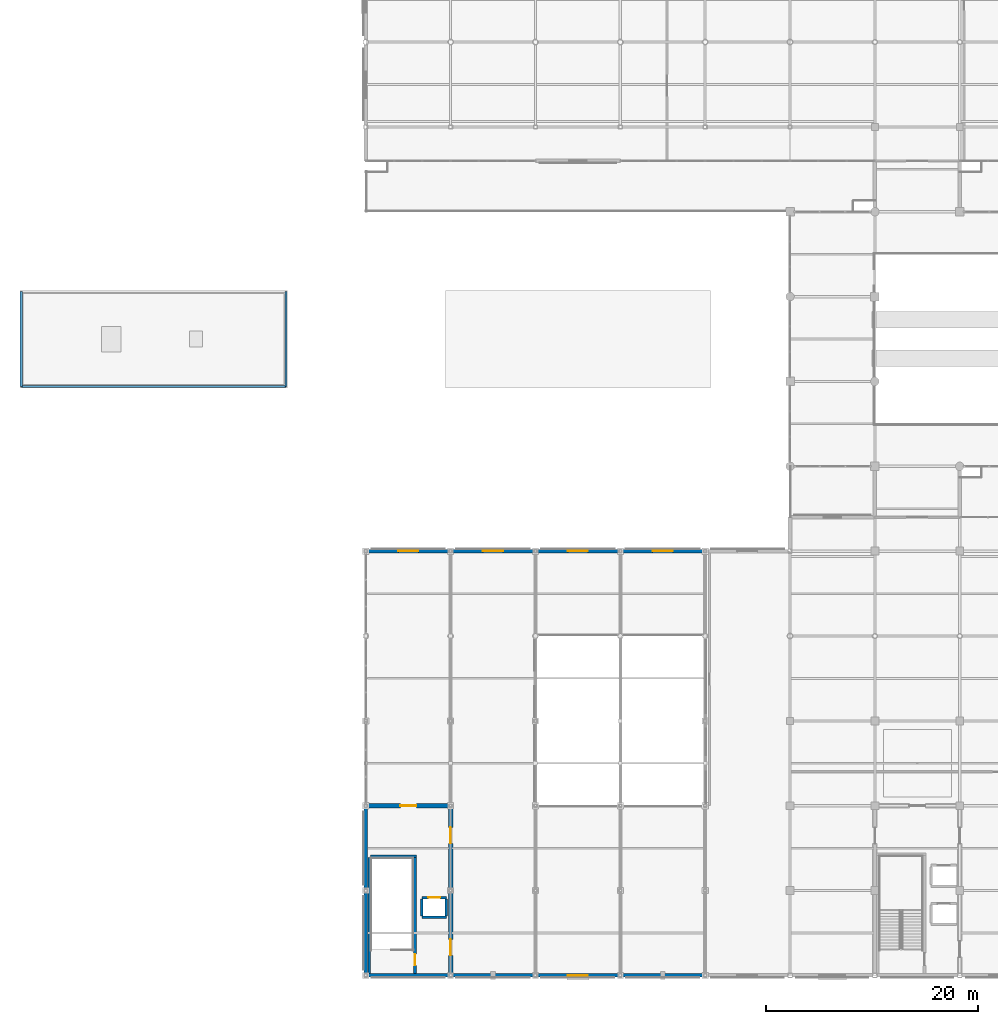
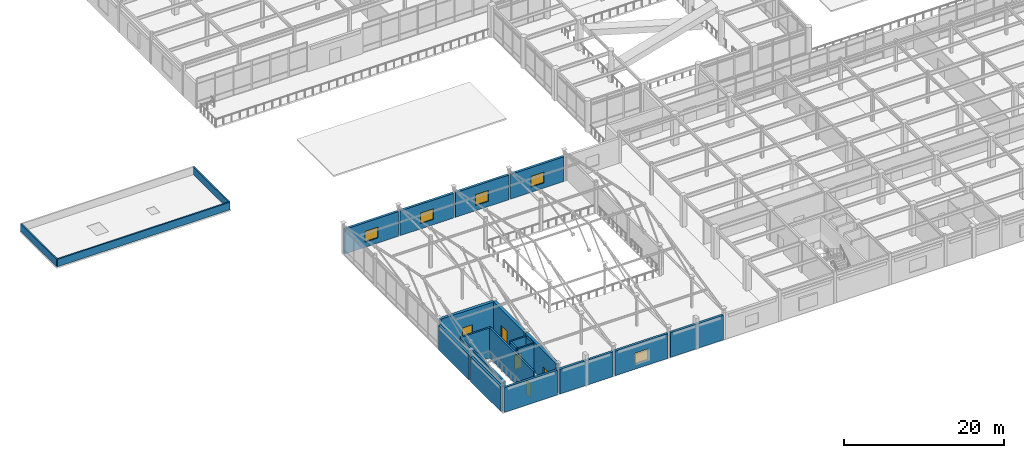
# One storey, part 90 of 117: 23 walls, 5 doors, 5 windows, 10 openings.
"""IFC4 building model written with IfcOpenShell, lengths in metres."""

from ifc_helpers import new_model, si_unit, direction, frame, frame_2d, origin, place, context, subcontext, project, spatial, rectangle, extrude, material, layer, layer_set, type_object, element, fill, save


model = new_model("IFC4")

# Units and contexts
model_context = context("Model", 3, precision=1e-05, world=origin(), true_north=direction((0.0, 1.0)))
body_context = subcontext(model_context, "Body", "Model", "MODEL_VIEW")
ifc_project = project(units=[si_unit("LENGTHUNIT", "METRE"), si_unit("AREAUNIT", "SQUARE_METRE"), si_unit("VOLUMEUNIT", "CUBIC_METRE"), si_unit("PLANEANGLEUNIT", "RADIAN"), si_unit("MASSUNIT", "GRAM", prefix="KILO")], contexts=[model_context])

# Site, building, storey
site_placement = place(None, origin())
site = spatial("IfcSite", under=ifc_project, at=site_placement, CompositionType="ELEMENT")
building_placement = place(site_placement, origin())
building = spatial("IfcBuilding", under=site, at=building_placement, Name="Solmirada Galleria", CompositionType="ELEMENT")
storey_placement = place(building_placement, frame((0.0, 0.0, 5.60009765625)))
storey = spatial("IfcBuildingStorey", under=building, at=storey_placement, Name="L01", CompositionType="ELEMENT", Elevation=5.60009765625)

# Wall, opening, door
ifc_material_1 = material(Name="Concrete C40/50", Category="concrete")
ifc_layer_1 = layer(ifc_material_1, 0.419921875)
ifc_layer_set_1 = layer_set([ifc_layer_1], Name="Concrete C40/50")
wall_type_1 = type_object("IfcWallType", Name="WL-CORE-420", PredefinedType="SHEAR", material=ifc_layer_set_1)
wall_1_placement = place(storey_placement, frame((40.152587890625, 16.0, 0.0), z_axis=(0.0, 0.0, 1.0), x_axis=(1.0, 0.0, 0.0)))
wall_1 = element("IfcWall", 1, at=wall_1_placement, inside=storey, type_object=wall_type_1, Name="Core C5 shear wall L01 N1", PredefinedType="SHEAR", context=body_context, shape_type="SweptSolid", body=[
    extrude(rectangle(XDim=7.720458984375, YDim=0.419921875, at=frame_2d((3.8603515625, 0.0))), origin(), (0.0, 0.0, 1.0), 4.579833984375),
])
opening_1_placement = place(wall_1_placement, frame((3.110107421875, 0.0, 0.0)))
opening_1 = element("IfcOpeningElement", 2, at=opening_1_placement, cuts=wall_1, Name="Opening LDY-232", PredefinedType="OPENING", context=body_context, shape_type="SweptSolid", body=[
    extrude(rectangle(XDim=1.5, YDim=2.14990234375, at=frame_2d((0.75, 1.074951171875))), frame((0.0, 0.219970703125, 0.0), z_axis=(0.0, -1.0, 0.0), x_axis=(1.0, 0.0, 0.0)), (0.0, 0.0, 1.0), 0.43994140625),
])
ifc_material_2 = material(Name="Fire-rated painted steel door assembly", Category="steel")
door_type_1 = type_object("IfcDoorType", Name="DR-LOBBY-150X215", OperationType="DOUBLE_DOOR_SINGLE_SWING", PredefinedType="DOOR", material=ifc_material_2)
door_1_placement = place(opening_1_placement, origin())
door_1 = element("IfcDoor", 3, at=door_1_placement, inside=storey, type_object=door_type_1, Name="Core C5 lobby access fire door LDY-232", OperationType="DOUBLE_DOOR_SINGLE_SWING", OverallHeight=2.14990234375, OverallWidth=1.5, PredefinedType="DOOR", context=body_context, shape_type="SweptSolid", body=[
    extrude(rectangle(XDim=1.5, YDim=2.14990234375, at=frame_2d((0.75, 1.074951171875))), frame((0.0, 0.02490234375, 0.0), z_axis=(0.0, -1.0, 0.0), x_axis=(1.0, 0.0, 0.0)), (0.0, 0.0, 1.0), 0.050048828125),
])
fill(opening_1, door_1)

wall_2_placement = place(storey_placement, frame((48.0, 0.152587890625, 0.0), z_axis=(0.0, 0.0, 1.0), x_axis=(0.0, 1.0, 0.0)))
wall_2 = element("IfcWall", 4, at=wall_2_placement, inside=storey, type_object=wall_type_1, Name="Core C5 shear wall L01 E1", PredefinedType="SHEAR", context=body_context, shape_type="SweptSolid", body=[
    extrude(rectangle(XDim=7.720458984375, YDim=0.419921875, at=frame_2d((3.8603515625, 0.0))), origin(), (0.0, 0.0, 1.0), 4.579833984375),
])
opening_2_placement = place(wall_2_placement, frame((1.7490234375, 0.0, 0.0)))
opening_2 = element("IfcOpeningElement", 5, at=opening_2_placement, cuts=wall_2, Name="Opening LDY-233", PredefinedType="OPENING", context=body_context, shape_type="SweptSolid", body=[
    extrude(rectangle(XDim=1.5, YDim=2.14990234375, at=frame_2d((0.75, 1.074951171875))), frame((0.0, 0.219970703125, 0.0), z_axis=(0.0, -1.0, 0.0), x_axis=(1.0, 0.0, 0.0)), (0.0, 0.0, 1.0), 0.43994140625),
])
door_2_placement = place(opening_2_placement, origin())
door_2 = element("IfcDoor", 6, at=door_2_placement, inside=storey, type_object=door_type_1, Name="Core C5 lobby access fire door LDY-233", OperationType="DOUBLE_DOOR_SINGLE_SWING", OverallHeight=2.14990234375, OverallWidth=1.5, PredefinedType="DOOR", context=body_context, shape_type="SweptSolid", body=[
    extrude(rectangle(XDim=1.5, YDim=2.14990234375, at=frame_2d((0.75, 1.074951171875))), frame((0.0, 0.02490234375, 0.0), z_axis=(0.0, -1.0, 0.0), x_axis=(1.0, 0.0, 0.0)), (0.0, 0.0, 1.0), 0.050048828125),
])
fill(opening_2, door_2)

wall_3_placement = place(storey_placement, frame((48.0, 8.126953125, 0.0), z_axis=(0.0, 0.0, 1.0), x_axis=(0.0, 1.0, 0.0)))
wall_3 = element("IfcWall", 7, at=wall_3_placement, inside=storey, type_object=wall_type_1, Name="Core C5 shear wall L01 E2", PredefinedType="SHEAR", context=body_context, shape_type="SweptSolid", body=[
    extrude(rectangle(XDim=7.74609375, YDim=0.419921875, at=frame_2d((3.873046875, 0.0))), origin(), (0.0, 0.0, 1.0), 4.579833984375),
])
opening_3_placement = place(wall_3_placement, frame((4.3349609375, 0.0, 0.0)))
opening_3 = element("IfcOpeningElement", 8, at=opening_3_placement, cuts=wall_3, Name="Opening LDY-234", PredefinedType="OPENING", context=body_context, shape_type="SweptSolid", body=[
    extrude(rectangle(XDim=1.5, YDim=2.14990234375, at=frame_2d((0.75, 1.074951171875))), frame((0.0, 0.219970703125, 0.0), z_axis=(0.0, -1.0, 0.0), x_axis=(1.0, 0.0, 0.0)), (0.0, 0.0, 1.0), 0.43994140625),
])
door_3_placement = place(opening_3_placement, origin())
door_3 = element("IfcDoor", 9, at=door_3_placement, inside=storey, type_object=door_type_1, Name="Core C5 lobby access fire door LDY-234", OperationType="DOUBLE_DOOR_SINGLE_SWING", OverallHeight=2.14990234375, OverallWidth=1.5, PredefinedType="DOOR", context=body_context, shape_type="SweptSolid", body=[
    extrude(rectangle(XDim=1.5, YDim=2.14990234375, at=frame_2d((0.75, 1.074951171875))), frame((0.0, 0.02490234375, 0.0), z_axis=(0.0, -1.0, 0.0), x_axis=(1.0, 0.0, 0.0)), (0.0, 0.0, 1.0), 0.050048828125),
])
fill(opening_3, door_3)

# Wall
ifc_material_3 = material(Name="Precast concrete C40/50", Category="concrete")
ifc_layer_2 = layer(ifc_material_3, 0.340087890625)
ifc_layer_set_2 = layer_set([ifc_layer_2], Name="Precast concrete C40/50")
wall_type_2 = type_object("IfcWallType", Name="WL-EXT-340", PredefinedType="STANDARD", material=ifc_layer_set_2)
wall_4_placement = place(storey_placement, frame((71.847412109375, 0.0, 0.0), z_axis=(0.0, 0.0, 1.0), x_axis=(-1.0, 0.0, 0.0)))
element("IfcWall", 10, at=wall_4_placement, inside=storey, type_object=wall_type_2, Name="Exterior wall L01 bay 094", PredefinedType="STANDARD", context=body_context, shape_type="SweptSolid", body=[
    extrude(rectangle(XDim=7.69482421875, YDim=0.340087890625, at=frame_2d((3.847412109375, 0.0))), origin(), (0.0, 0.0, 1.0), 3.77978515625),
])

# Wall, opening, window
wall_5_placement = place(storey_placement, frame((63.847412109375, 0.0, 0.0), z_axis=(0.0, 0.0, 1.0), x_axis=(-1.0, 0.0, 0.0)))
wall_5 = element("IfcWall", 11, at=wall_5_placement, inside=storey, type_object=wall_type_2, Name="Exterior wall L01 bay 095", PredefinedType="STANDARD", context=body_context, shape_type="SweptSolid", body=[
    extrude(rectangle(XDim=7.69482421875, YDim=0.340087890625, at=frame_2d((3.847412109375, 0.0))), origin(), (0.0, 0.0, 1.0), 3.77978515625),
])
opening_4_placement = place(wall_5_placement, frame((2.89697265625, 0.0, 0.800048828125)))
opening_4 = element("IfcOpeningElement", 12, at=opening_4_placement, cuts=wall_5, Name="Opening WN18", PredefinedType="OPENING", context=body_context, shape_type="SweptSolid", body=[
    extrude(rectangle(XDim=1.89990234375, YDim=1.64990234375, at=frame_2d((0.949951171875, 0.824951171875))), frame((0.0, 0.179931640625, 0.0), z_axis=(0.0, -1.0, 0.0), x_axis=(1.0, 0.0, 0.0)), (0.0, 0.0, 1.0), 0.360107421875),
])
ifc_material_4 = material(Name="Impact-resistant low-E double glazing", Category="glass")
window_type = type_object("IfcWindowType", Name="WIN-FH-190X165", PartitioningType="DOUBLE_PANEL_VERTICAL", PredefinedType="WINDOW", material=ifc_material_4)
window_1_placement = place(opening_4_placement, origin())
window_1 = element("IfcWindow", 13, at=window_1_placement, inside=storey, type_object=window_type, Name="Window L01-028", OverallHeight=1.64990234375, OverallWidth=1.89990234375, PartitioningType="DOUBLE_PANEL_VERTICAL", PredefinedType="WINDOW", context=body_context, shape_type="SweptSolid", body=[
    extrude(rectangle(XDim=1.89990234375, YDim=1.64990234375, at=frame_2d((0.949951171875, 0.824951171875))), frame((0.0, 0.030029296875, 0.0), z_axis=(0.0, -1.0, 0.0), x_axis=(1.0, 0.0, 0.0)), (0.0, 0.0, 1.0), 0.06005859375),
])
fill(opening_4, window_1)

# Walls
for number, where, z_axis, x_axis, name in (
    (14, (55.847412109375, 0.0, 0.0), (0.0, 0.0, 1.0), (-1.0, 0.0, 0.0), "Exterior wall L01 bay 096"),
    (15, (47.847412109375, 0.0, 0.0), (0.0, 0.0, 1.0), (-1.0, 0.0, 0.0), "Exterior wall L01 bay 097"),
    (16, (40.0, 0.152587890625, 0.0), (0.0, 0.0, 1.0), (0.0, 1.0, 0.0), "Exterior wall L01 bay 098"),
    (17, (40.0, 8.152587890625, 0.0), (0.0, 0.0, 1.0), (0.0, 1.0, 0.0), "Exterior wall L01 bay 099"),
):
    element("IfcWall", number, at=place(storey_placement, frame(where, z_axis=z_axis, x_axis=x_axis)), inside=storey, type_object=wall_type_2, Name=name, PredefinedType="STANDARD", context=body_context, shape_type="SweptSolid", body=[
        extrude(rectangle(XDim=7.69482421875, YDim=0.340087890625, at=frame_2d((3.847412109375, 0.0))), origin(), (0.0, 0.0, 1.0), 3.77978515625),
    ])

# Wall, opening, window
wall_6_placement = place(storey_placement, frame((40.152587890625, 40.0, 0.0), z_axis=(0.0, 0.0, 1.0), x_axis=(1.0, 0.0, 0.0)))
wall_6 = element("IfcWall", 18, at=wall_6_placement, inside=storey, type_object=wall_type_2, Name="Exterior wall L01 bay 103", PredefinedType="STANDARD", context=body_context, shape_type="SweptSolid", body=[
    extrude(rectangle(XDim=7.720458984375, YDim=0.340087890625, at=frame_2d((3.8603515625, 0.0))), origin(), (0.0, 0.0, 1.0), 3.77978515625),
])
opening_5_placement = place(wall_6_placement, frame((2.909912109375, 0.0, 0.800048828125)))
opening_5 = element("IfcOpeningElement", 19, at=opening_5_placement, cuts=wall_6, Name="Opening WN18", PredefinedType="OPENING", context=body_context, shape_type="SweptSolid", body=[
    extrude(rectangle(XDim=1.89990234375, YDim=1.64990234375, at=frame_2d((0.949951171875, 0.824951171875))), frame((0.0, 0.179931640625, 0.0), z_axis=(0.0, -1.0, 0.0), x_axis=(1.0, 0.0, 0.0)), (0.0, 0.0, 1.0), 0.360107421875),
])
window_2_placement = place(opening_5_placement, origin())
window_2 = element("IfcWindow", 20, at=window_2_placement, inside=storey, type_object=window_type, Name="Window L01-029", OverallHeight=1.64990234375, OverallWidth=1.89990234375, PartitioningType="DOUBLE_PANEL_VERTICAL", PredefinedType="WINDOW", context=body_context, shape_type="SweptSolid", body=[
    extrude(rectangle(XDim=1.89990234375, YDim=1.64990234375, at=frame_2d((0.949951171875, 0.824951171875))), frame((0.0, 0.030029296875, 0.0), z_axis=(0.0, -1.0, 0.0), x_axis=(1.0, 0.0, 0.0)), (0.0, 0.0, 1.0), 0.06005859375),
])
fill(opening_5, window_2)

wall_7_placement = place(storey_placement, frame((48.126953125, 40.0, 0.0), z_axis=(0.0, 0.0, 1.0), x_axis=(1.0, 0.0, 0.0)))
wall_7 = element("IfcWall", 21, at=wall_7_placement, inside=storey, type_object=wall_type_2, Name="Exterior wall L01 bay 104", PredefinedType="STANDARD", context=body_context, shape_type="SweptSolid", body=[
    extrude(rectangle(XDim=7.74609375, YDim=0.340087890625, at=frame_2d((3.873046875, 0.0))), origin(), (0.0, 0.0, 1.0), 3.77978515625),
])
opening_6_placement = place(wall_7_placement, frame((2.923095703125, 0.0, 0.800048828125)))
opening_6 = element("IfcOpeningElement", 22, at=opening_6_placement, cuts=wall_7, Name="Opening WN18", PredefinedType="OPENING", context=body_context, shape_type="SweptSolid", body=[
    extrude(rectangle(XDim=1.89990234375, YDim=1.64990234375, at=frame_2d((0.949951171875, 0.824951171875))), frame((0.0, 0.179931640625, 0.0), z_axis=(0.0, -1.0, 0.0), x_axis=(1.0, 0.0, 0.0)), (0.0, 0.0, 1.0), 0.360107421875),
])
window_3_placement = place(opening_6_placement, origin())
window_3 = element("IfcWindow", 23, at=window_3_placement, inside=storey, type_object=window_type, Name="Window L01-030", OverallHeight=1.64990234375, OverallWidth=1.89990234375, PartitioningType="DOUBLE_PANEL_VERTICAL", PredefinedType="WINDOW", context=body_context, shape_type="SweptSolid", body=[
    extrude(rectangle(XDim=1.89990234375, YDim=1.64990234375, at=frame_2d((0.949951171875, 0.824951171875))), frame((0.0, 0.030029296875, 0.0), z_axis=(0.0, -1.0, 0.0), x_axis=(1.0, 0.0, 0.0)), (0.0, 0.0, 1.0), 0.06005859375),
])
fill(opening_6, window_3)

wall_8_placement = place(storey_placement, frame((56.126953125, 40.0, 0.0), z_axis=(0.0, 0.0, 1.0), x_axis=(1.0, 0.0, 0.0)))
wall_8 = element("IfcWall", 24, at=wall_8_placement, inside=storey, type_object=wall_type_2, Name="Exterior wall L01 bay 105", PredefinedType="STANDARD", context=body_context, shape_type="SweptSolid", body=[
    extrude(rectangle(XDim=7.74609375, YDim=0.340087890625, at=frame_2d((3.873046875, 0.0))), origin(), (0.0, 0.0, 1.0), 3.77978515625),
])
opening_7_placement = place(wall_8_placement, frame((2.923095703125, 0.0, 0.800048828125)))
opening_7 = element("IfcOpeningElement", 25, at=opening_7_placement, cuts=wall_8, Name="Opening WN18", PredefinedType="OPENING", context=body_context, shape_type="SweptSolid", body=[
    extrude(rectangle(XDim=1.89990234375, YDim=1.64990234375, at=frame_2d((0.949951171875, 0.824951171875))), frame((0.0, 0.179931640625, 0.0), z_axis=(0.0, -1.0, 0.0), x_axis=(1.0, 0.0, 0.0)), (0.0, 0.0, 1.0), 0.360107421875),
])
window_4_placement = place(opening_7_placement, origin())
window_4 = element("IfcWindow", 26, at=window_4_placement, inside=storey, type_object=window_type, Name="Window L01-031", OverallHeight=1.64990234375, OverallWidth=1.89990234375, PartitioningType="DOUBLE_PANEL_VERTICAL", PredefinedType="WINDOW", context=body_context, shape_type="SweptSolid", body=[
    extrude(rectangle(XDim=1.89990234375, YDim=1.64990234375, at=frame_2d((0.949951171875, 0.824951171875))), frame((0.0, 0.030029296875, 0.0), z_axis=(0.0, -1.0, 0.0), x_axis=(1.0, 0.0, 0.0)), (0.0, 0.0, 1.0), 0.06005859375),
])
fill(opening_7, window_4)

wall_9_placement = place(storey_placement, frame((64.126953125, 40.0, 0.0), z_axis=(0.0, 0.0, 1.0), x_axis=(1.0, 0.0, 0.0)))
wall_9 = element("IfcWall", 27, at=wall_9_placement, inside=storey, type_object=wall_type_2, Name="Exterior wall L01 bay 106", PredefinedType="STANDARD", context=body_context, shape_type="SweptSolid", body=[
    extrude(rectangle(XDim=7.74609375, YDim=0.340087890625, at=frame_2d((3.873046875, 0.0))), origin(), (0.0, 0.0, 1.0), 3.77978515625),
])
opening_8_placement = place(wall_9_placement, frame((2.923095703125, 0.0, 0.800048828125)))
opening_8 = element("IfcOpeningElement", 28, at=opening_8_placement, cuts=wall_9, Name="Opening WN18", PredefinedType="OPENING", context=body_context, shape_type="SweptSolid", body=[
    extrude(rectangle(XDim=1.89990234375, YDim=1.64990234375, at=frame_2d((0.949951171875, 0.824951171875))), frame((0.0, 0.179931640625, 0.0), z_axis=(0.0, -1.0, 0.0), x_axis=(1.0, 0.0, 0.0)), (0.0, 0.0, 1.0), 0.360107421875),
])
window_5_placement = place(opening_8_placement, origin())
window_5 = element("IfcWindow", 29, at=window_5_placement, inside=storey, type_object=window_type, Name="Window L01-032", OverallHeight=1.64990234375, OverallWidth=1.89990234375, PartitioningType="DOUBLE_PANEL_VERTICAL", PredefinedType="WINDOW", context=body_context, shape_type="SweptSolid", body=[
    extrude(rectangle(XDim=1.89990234375, YDim=1.64990234375, at=frame_2d((0.949951171875, 0.824951171875))), frame((0.0, 0.030029296875, 0.0), z_axis=(0.0, -1.0, 0.0), x_axis=(1.0, 0.0, 0.0)), (0.0, 0.0, 1.0), 0.06005859375),
])
fill(opening_8, window_5)

# Wall, opening, door
ifc_layer_3 = layer(ifc_material_1, 0.239990234375)
ifc_layer_set_3 = layer_set([ifc_layer_3], Name="Concrete C40/50")
wall_type_3 = type_object("IfcWallType", Name="WL-HOIST-240", PredefinedType="PARTITIONING", material=ifc_layer_set_3)
wall_10_placement = place(storey_placement, frame((45.294921875, 7.330078125, 0.0), z_axis=(0.0, 0.0, 1.0), x_axis=(1.0, 0.0, 0.0)))
wall_10 = element("IfcWall", 30, at=wall_10_placement, inside=storey, type_object=wall_type_3, Name="Lift LP5 hoistway front wall L01", PredefinedType="PARTITIONING", context=body_context, shape_type="SweptSolid", body=[
    extrude(rectangle(XDim=2.31005859375, YDim=0.239990234375, at=frame_2d((1.155029296875, 0.0))), origin(), (0.0, 0.0, 1.0), 4.579833984375),
])
opening_9_placement = place(wall_10_placement, frame((0.60498046875, 0.0, 0.0)))
opening_9 = element("IfcOpeningElement", 31, at=opening_9_placement, cuts=wall_10, Name="Opening LD-LP5-L01", PredefinedType="OPENING", context=body_context, shape_type="SweptSolid", body=[
    extrude(rectangle(XDim=1.10009765625, YDim=2.14990234375, at=frame_2d((0.550048828125, 1.074951171875))), frame((0.0, 0.1298828125, 0.0), z_axis=(0.0, -1.0, 0.0), x_axis=(1.0, 0.0, 0.0)), (0.0, 0.0, 1.0), 0.260009765625),
])
ifc_material_5 = material(Name="Brushed stainless-steel sliding landing door", Category="steel")
door_type_2 = type_object("IfcDoorType", Name="DR-LIFT-110X215", OperationType="SLIDING_TO_LEFT", PredefinedType="DOOR", material=ifc_material_5)
door_4_placement = place(opening_9_placement, origin())
door_4 = element("IfcDoor", 32, at=door_4_placement, inside=storey, type_object=door_type_2, Name="Lift LP5 sliding landing door L01", OperationType="SLIDING_TO_LEFT", OverallHeight=2.14990234375, OverallWidth=1.10009765625, PredefinedType="DOOR", context=body_context, shape_type="SweptSolid", body=[
    extrude(rectangle(XDim=1.10009765625, YDim=2.14990234375, at=frame_2d((0.550048828125, 1.074951171875))), frame((0.0, 0.02490234375, 0.0), z_axis=(0.0, -1.0, 0.0), x_axis=(1.0, 0.0, 0.0)), (0.0, 0.0, 1.0), 0.050048828125),
])
fill(opening_9, door_4)

# Walls
wall_11_placement = place(storey_placement, frame((45.294921875, 5.469970703125, 0.0), z_axis=(0.0, 0.0, 1.0), x_axis=(1.0, 0.0, 0.0)))
element("IfcWall", 33, at=wall_11_placement, inside=storey, type_object=wall_type_3, Name="Lift LP5 hoistway rear wall L01", PredefinedType="PARTITIONING", context=body_context, shape_type="SweptSolid", body=[
    extrude(rectangle(XDim=2.31005859375, YDim=0.239990234375, at=frame_2d((1.155029296875, 0.0))), origin(), (0.0, 0.0, 1.0), 4.579833984375),
])
for number, where, z_axis, x_axis, name in (
    (34, (45.294921875, 5.610107421875, 0.0), (0.0, 0.0, 1.0), (0.0, 1.0, 0.0), "Lift LP5 hoistway side wall L L01"),
    (35, (47.60498046875, 5.610107421875, 0.0), (0.0, 0.0, 1.0), (0.0, 1.0, 0.0), "Lift LP5 hoistway side wall R L01"),
):
    element("IfcWall", number, at=place(storey_placement, frame(where, z_axis=z_axis, x_axis=x_axis)), inside=storey, type_object=wall_type_3, Name=name, PredefinedType="PARTITIONING", context=body_context, shape_type="SweptSolid", body=[
        extrude(rectangle(XDim=1.579833984375, YDim=0.239990234375, at=frame_2d((0.7900390625, 0.0))), origin(), (0.0, 0.0, 1.0), 4.579833984375),
    ])
ifc_layer_4 = layer(ifc_material_3, 0.2099609375)
ifc_layer_set_4 = layer_set([ifc_layer_4], Name="Precast concrete C40/50")
wall_type_4 = type_object("IfcWallType", Name="WL-PAR-210", PredefinedType="PARAPET", material=ifc_layer_set_4)
wall_12_placement = place(storey_placement, frame((7.52001953125, 55.52001953125, 0.0), z_axis=(0.0, 0.0, 1.0), x_axis=(1.0, 0.0, 0.0)))
element("IfcWall", 36, at=wall_12_placement, inside=storey, type_object=wall_type_4, Name="Roof parapet ROOF-WEST-PORTAL side 1", PredefinedType="PARAPET", context=body_context, shape_type="SweptSolid", body=[
    extrude(rectangle(XDim=24.9599609375, YDim=0.2099609375, at=frame_2d((12.47998046875, 0.0))), origin(), (0.0, 0.0, 1.0), 1.14990234375),
])
for number, where, z_axis, x_axis, name in (
    (37, (32.47998046875, 55.52001953125, 0.0), (0.0, 0.0, 1.0), (0.0, 1.0, 0.0), "Roof parapet ROOF-WEST-PORTAL side 2"),
    (38, (7.52001953125, 64.47998046875, 0.0), (0.0, 0.0, 1.0), (0.0, -1.0, 0.0), "Roof parapet ROOF-WEST-PORTAL side 4"),
):
    element("IfcWall", number, at=place(storey_placement, frame(where, z_axis=z_axis, x_axis=x_axis)), inside=storey, type_object=wall_type_4, Name=name, PredefinedType="PARAPET", context=body_context, shape_type="SweptSolid", body=[
        extrude(rectangle(XDim=8.9599609375, YDim=0.2099609375, at=frame_2d((4.47998046875, 0.0))), origin(), (0.0, 0.0, 1.0), 1.14990234375),
    ])
ifc_layer_5 = layer(ifc_material_1, 0.260009765625)
ifc_layer_set_5 = layer_set([ifc_layer_5], Name="Concrete C40/50")
wall_type_5 = type_object("IfcWallType", Name="WL-SHAFT-260", PredefinedType="SHEAR", material=ifc_layer_set_5)
wall_13_placement = place(storey_placement, frame((40.449951171875, 11.22998046875, 0.0), z_axis=(0.0, 0.0, 1.0), x_axis=(1.0, 0.0, 0.0)))
element("IfcWall", 39, at=wall_13_placement, inside=storey, type_object=wall_type_5, Name="Stair ST5 enclosure wall L01 N", PredefinedType="SHEAR", context=body_context, shape_type="SweptSolid", body=[
    extrude(rectangle(XDim=4.31005859375, YDim=0.260009765625, at=frame_2d((2.155029296875, 0.0))), origin(), (0.0, 0.0, 1.0), 4.579833984375),
])
wall_14_placement = place(storey_placement, frame((40.320068359375, 0.14501953125, 0.0), z_axis=(0.0, 0.0, 1.0), x_axis=(0.0, 1.0, 0.0)))
element("IfcWall", 40, at=wall_14_placement, inside=storey, type_object=wall_type_5, Name="Stair ST5 enclosure wall L01 W", PredefinedType="SHEAR", context=body_context, shape_type="SweptSolid", body=[
    extrude(rectangle(XDim=10.955078125, YDim=0.260009765625, at=frame_2d((5.4775390625, 0.0))), origin(), (0.0, 0.0, 1.0), 4.579833984375),
])

# Wall, opening, door
wall_15_placement = place(storey_placement, frame((44.6298828125, 0.14501953125, 0.0), z_axis=(0.0, 0.0, 1.0), x_axis=(0.0, 1.0, 0.0)))
wall_15 = element("IfcWall", 41, at=wall_15_placement, inside=storey, type_object=wall_type_5, Name="Stair ST5 enclosure wall L01 E", PredefinedType="SHEAR", context=body_context, shape_type="SweptSolid", body=[
    extrude(rectangle(XDim=10.955078125, YDim=0.260009765625, at=frame_2d((5.4775390625, 0.0))), origin(), (0.0, 0.0, 1.0), 4.579833984375),
])
opening_10_placement = place(wall_15_placement, frame((0.804931640625, 0.0, 0.0)))
opening_10 = element("IfcOpeningElement", 42, at=opening_10_placement, cuts=wall_15, Name="Opening SD-231", PredefinedType="OPENING", context=body_context, shape_type="SweptSolid", body=[
    extrude(rectangle(XDim=1.050048828125, YDim=2.14990234375, at=frame_2d((0.52490234375, 1.074951171875))), frame((0.0, 0.139892578125, 0.0), z_axis=(0.0, -1.0, 0.0), x_axis=(1.0, 0.0, 0.0)), (0.0, 0.0, 1.0), 0.280029296875),
])
door_type_3 = type_object("IfcDoorType", Name="DR-STAIR-105X215", OperationType="NOTDEFINED", PredefinedType="DOOR", material=ifc_material_2)
door_5_placement = place(opening_10_placement, origin())
door_5 = element("IfcDoor", 43, at=door_5_placement, inside=storey, type_object=door_type_3, Name="Exit stair ST5 enclosure fire door SD-231", OperationType="SINGLE_SWING_LEFT", OverallHeight=2.14990234375, OverallWidth=1.050048828125, PredefinedType="DOOR", context=body_context, shape_type="SweptSolid", body=[
    extrude(rectangle(XDim=1.050048828125, YDim=2.14990234375, at=frame_2d((0.52490234375, 1.074951171875))), frame((0.0, 0.02490234375, 0.0), z_axis=(0.0, -1.0, 0.0), x_axis=(1.0, 0.0, 0.0)), (0.0, 0.0, 1.0), 0.050048828125),
])
fill(opening_10, door_5)

save(model, "model.ifc")
